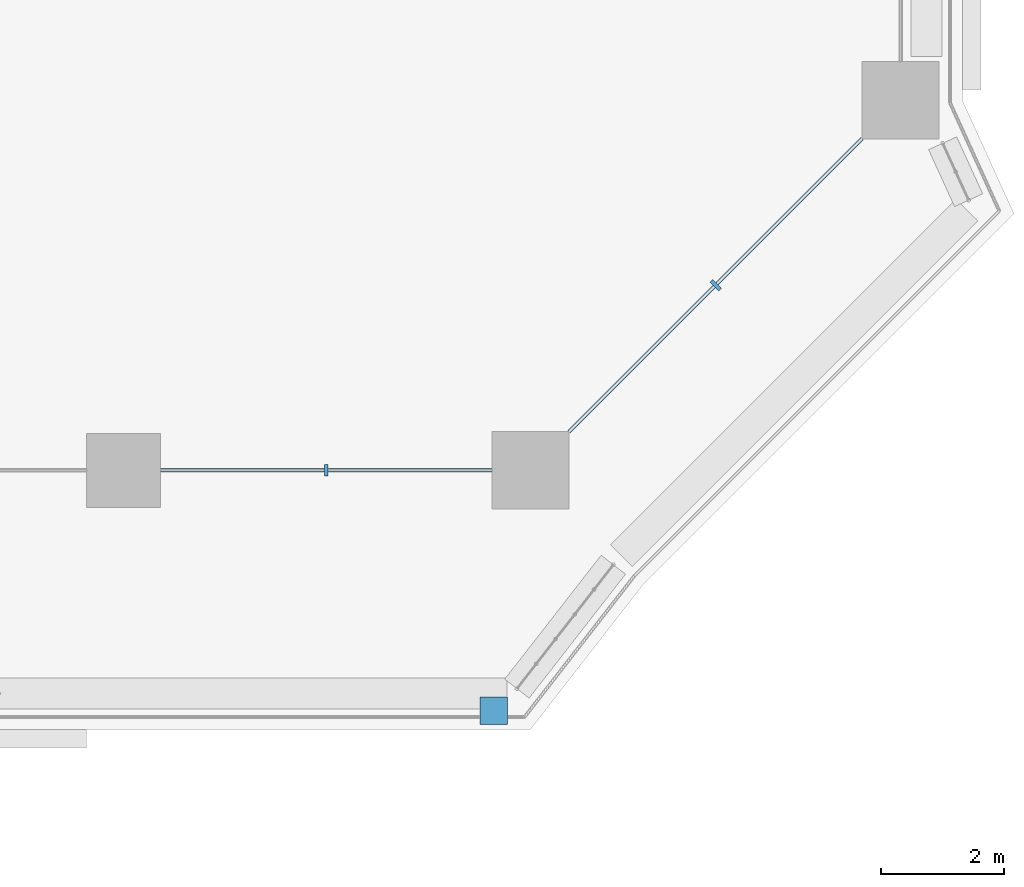
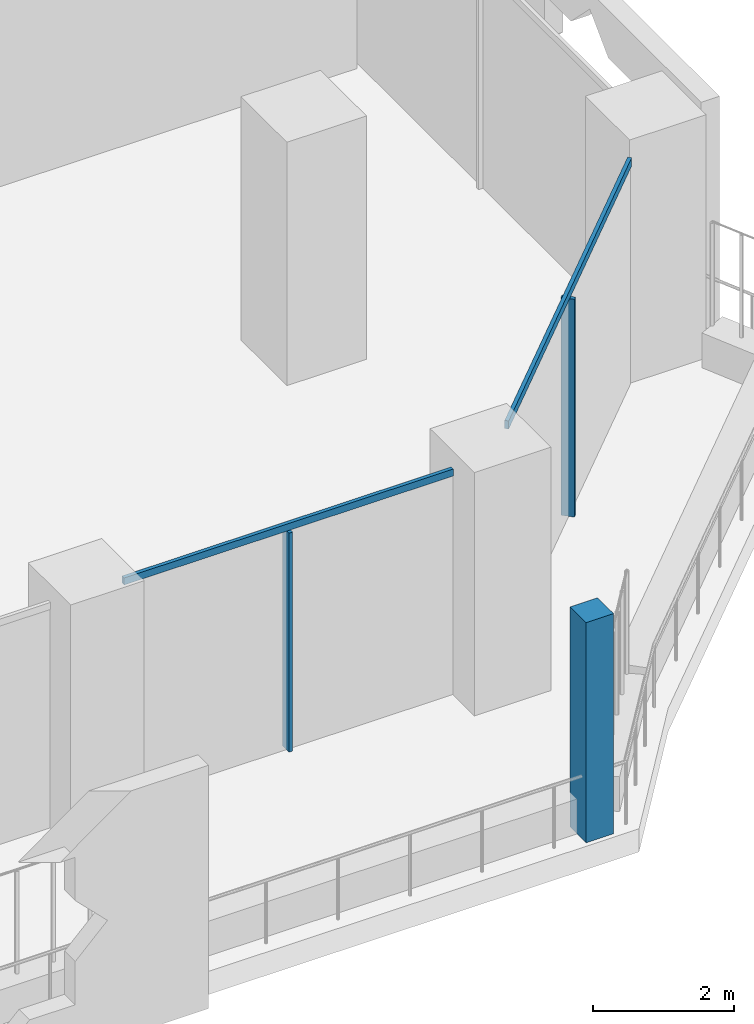
# One storey, part 6 of 27: 5 members, 3 elements without a shape of their own.
"""IFC4 building model written with IfcOpenShell, lengths in metres."""

from ifc_helpers import new_model, si_unit, direction, frame, origin, origin_2d, place, context, subcontext, project, spatial, rectangle, extrude, material, layer, layer_set, material_profile, profile_set, type_object, element, aggregate, save


model = new_model("IFC4")

# Units and contexts
model_context = context("Model", 3, precision=1e-05, world=origin(), true_north=direction((0.0, 1.0)))
body_context = subcontext(model_context, "Body", "Model", "MODEL_VIEW")
ifc_project = project(units=[si_unit("LENGTHUNIT", "METRE"), si_unit("AREAUNIT", "SQUARE_METRE"), si_unit("VOLUMEUNIT", "CUBIC_METRE"), si_unit("PLANEANGLEUNIT", "RADIAN"), si_unit("MASSUNIT", "GRAM", prefix="KILO")], contexts=[model_context])

# Site, building, storey
site_placement = place(None, origin())
site = spatial("IfcSite", under=ifc_project, at=site_placement, CompositionType="ELEMENT")
building_placement = place(site_placement, origin())
building = spatial("IfcBuilding", under=site, at=building_placement, Name="Kawkab Arch Medical Tower", CompositionType="ELEMENT")
storey_placement = place(building_placement, frame((0.0, 0.0, 43.39990234375)))
storey = spatial("IfcBuildingStorey", under=building, at=storey_placement, Name="L09", CompositionType="ELEMENT", Elevation=43.39990234375)

# Curtain wall, members
ifc_material_1 = material(Name="Bronze anodised aluminium curtain wall frame", Category="aluminium")
ifc_layer_1 = layer(ifc_material_1, 0.159912109375)
ifc_layer_set_1 = layer_set([ifc_layer_1], Name="Bronze anodised aluminium curtain wall frame")
curtain_wall_type_1 = type_object("IfcCurtainWallType", Name="CW1 ward curtain wall", PredefinedType="NOTDEFINED", material=ifc_layer_set_1)
placement = place(storey_placement, origin())
curtain_wall_1 = element("IfcCurtainWall", 1, at=placement, inside=storey, type_object=curtain_wall_type_1, Name="CW1 Ward curtain wall R05", PredefinedType="NOTDEFINED")
ifc_material_2 = material(Name="Bronze anodised aluminium curtain wall frame", Category="aluminium")
ifc_material_profile_1 = material_profile(ifc_material_2, rectangle(XDim=0.179931640625, YDim=0.06005859375, at=origin_2d()), Name="AL 60x180")
ifc_profile_set_1 = profile_set([ifc_material_profile_1], Name="Bronze anodised aluminium curtain wall frame")
member_type_1 = type_object("IfcMemberType", Name="CW1 mullion 60 x 180", PredefinedType="MULLION", material=ifc_profile_set_1)
member_1_placement = place(storey_placement, frame((70.487548828125, -25.199951171875, 0.0), z_axis=(0.0, 0.0, 1.0), x_axis=(0.0, 1.0, 0.0)))
member_1 = element("IfcMember", 2, at=member_1_placement, type_object=member_type_1, Name="CW1 mullion 3.1", PredefinedType="MULLION", context=body_context, shape_type="SweptSolid", body=[
    extrude(rectangle(XDim=0.179931640625, YDim=0.06005859375, at=origin_2d()), origin(), (0.0, 0.0, 1.0), 3.780029296875),
])
ifc_material_3 = material(Name="Bronze anodised aluminium curtain wall frame", Category="aluminium")
ifc_material_profile_2 = material_profile(ifc_material_3, rectangle(XDim=0.06005859375, YDim=0.1201171875, at=origin_2d()), Name="AL 60x120")
ifc_profile_set_2 = profile_set([ifc_material_profile_2], Name="Bronze anodised aluminium curtain wall frame")
member_type_2 = type_object("IfcMemberType", Name="CW1 transom 120 x 60", PredefinedType="USERDEFINED", material=ifc_profile_set_2)
member_2_placement = place(storey_placement, frame((67.800048828125, -25.199951171875, 3.840087890625), z_axis=(1.0, 0.0, 0.0), x_axis=(0.0, 1.0, 0.0)))
member_2 = element("IfcMember", 3, at=member_2_placement, type_object=member_type_2, Name="CW1 transom 3", ObjectType="TRANSOM", PredefinedType="USERDEFINED", context=body_context, shape_type="SweptSolid", body=[
    extrude(rectangle(XDim=0.06005859375, YDim=0.1201171875, at=origin_2d()), origin(), (0.0, 0.0, 1.0), 5.375),
])
aggregate(curtain_wall_1, [member_2, member_1])

ifc_material_4 = material(Name="Bronze anodised aluminium curtain wall frame", Category="aluminium")
ifc_layer_2 = layer(ifc_material_4, 0.159912109375)
ifc_layer_set_2 = layer_set([ifc_layer_2], Name="Bronze anodised aluminium curtain wall frame")
curtain_wall_type_2 = type_object("IfcCurtainWallType", Name="CW2 chamfer curtain wall", PredefinedType="NOTDEFINED", material=ifc_layer_set_2)
curtain_wall_2 = element("IfcCurtainWall", 4, at=placement, inside=storey, type_object=curtain_wall_type_2, Name="CW2 Chamfer curtain wall R06", PredefinedType="NOTDEFINED")
ifc_material_5 = material(Name="Bronze anodised aluminium curtain wall frame", Category="aluminium")
ifc_material_profile_3 = material_profile(ifc_material_5, rectangle(XDim=0.199951171875, YDim=0.06005859375, at=origin_2d()), Name="AL 60x200")
ifc_profile_set_3 = profile_set([ifc_material_profile_3], Name="Bronze anodised aluminium curtain wall frame")
member_type_3 = type_object("IfcMemberType", Name="CW2 mullion 60 x 200", PredefinedType="MULLION", material=ifc_profile_set_3)
member_3_placement = place(storey_placement, frame((76.800048828125, -22.199951171875, 0.0), z_axis=(0.0, 0.0, 1.0), x_axis=(-0.707106781187, 0.707106781187, 0.0)))
member_3 = element("IfcMember", 5, at=member_3_placement, type_object=member_type_3, Name="CW2 mullion 1.1", PredefinedType="MULLION", context=body_context, shape_type="SweptSolid", body=[
    extrude(rectangle(XDim=0.199951171875, YDim=0.06005859375, at=origin_2d()), origin(), (0.0, 0.0, 1.0), 3.760009765625),
])
ifc_material_6 = material(Name="Bronze anodised aluminium curtain wall frame", Category="aluminium")
ifc_material_profile_4 = material_profile(ifc_material_6, rectangle(XDim=0.06005859375, YDim=0.139892578125, at=origin_2d()), Name="AL 60x140")
ifc_profile_set_4 = profile_set([ifc_material_profile_4], Name="Bronze anodised aluminium curtain wall frame")
member_type_4 = type_object("IfcMemberType", Name="CW2 transom 140 x 60", PredefinedType="USERDEFINED", material=ifc_profile_set_4)
member_4_placement = place(storey_placement, frame((74.425048828125, -24.574951171875, 3.830078125), z_axis=(0.707106781187, 0.707106781187, 0.0), x_axis=(-0.707106781187, 0.707106781187, 0.0)))
member_4 = element("IfcMember", 6, at=member_4_placement, type_object=member_type_4, Name="CW2 transom 1", ObjectType="TRANSOM", PredefinedType="USERDEFINED", context=body_context, shape_type="SweptSolid", body=[
    extrude(rectangle(XDim=0.06005859375, YDim=0.139892578125, at=origin_2d()), origin(), (0.0, 0.0, 1.0), 6.717529296875),
])
aggregate(curtain_wall_2, [member_4, member_3])

# Curtain wall, member
ifc_material_7 = material(Name="Bronze anodised aluminium climber frame, planted", Category="aluminium")
ifc_layer_3 = layer(ifc_material_7, 0.449951171875)
ifc_layer_set_3 = layer_set([ifc_layer_3], Name="Bronze anodised aluminium climber frame, planted")
curtain_wall_type_3 = type_object("IfcCurtainWallType", Name="Planted climber frame", PredefinedType="NOTDEFINED", material=ifc_layer_set_3)
curtain_wall_3 = element("IfcCurtainWall", 7, at=placement, inside=storey, type_object=curtain_wall_type_3, Name="Planted climber frame L09", PredefinedType="NOTDEFINED")
ifc_material_8 = material(Name="Bronze anodised aluminium climber frame, planted", Category="aluminium")
ifc_material_profile_5 = material_profile(ifc_material_8, rectangle(XDim=0.449951171875, YDim=0.449951171875, at=origin_2d()), Name="Post 450x450")
ifc_profile_set_5 = profile_set([ifc_material_profile_5], Name="Bronze anodised aluminium climber frame, planted")
member_type_5 = type_object("IfcMemberType", Name="Planted climber post 450 x 450", PredefinedType="MULLION", material=ifc_profile_set_5)
member_5_placement = place(storey_placement, frame((73.202880859375, -29.10009765625, 0.0), z_axis=(0.0, 0.0, 1.0), x_axis=(1.0, 0.0, 0.0)))
member_5 = element("IfcMember", 8, at=member_5_placement, type_object=member_type_5, Name="Planted climber post L09.LOG-01-02.5", PredefinedType="MULLION", context=body_context, shape_type="SweptSolid", body=[
    extrude(rectangle(XDim=0.449951171875, YDim=0.449951171875, at=origin_2d()), origin(), (0.0, 0.0, 1.0), 3.800048828125),
])
aggregate(curtain_wall_3, [member_5])

save(model, "model.ifc")
